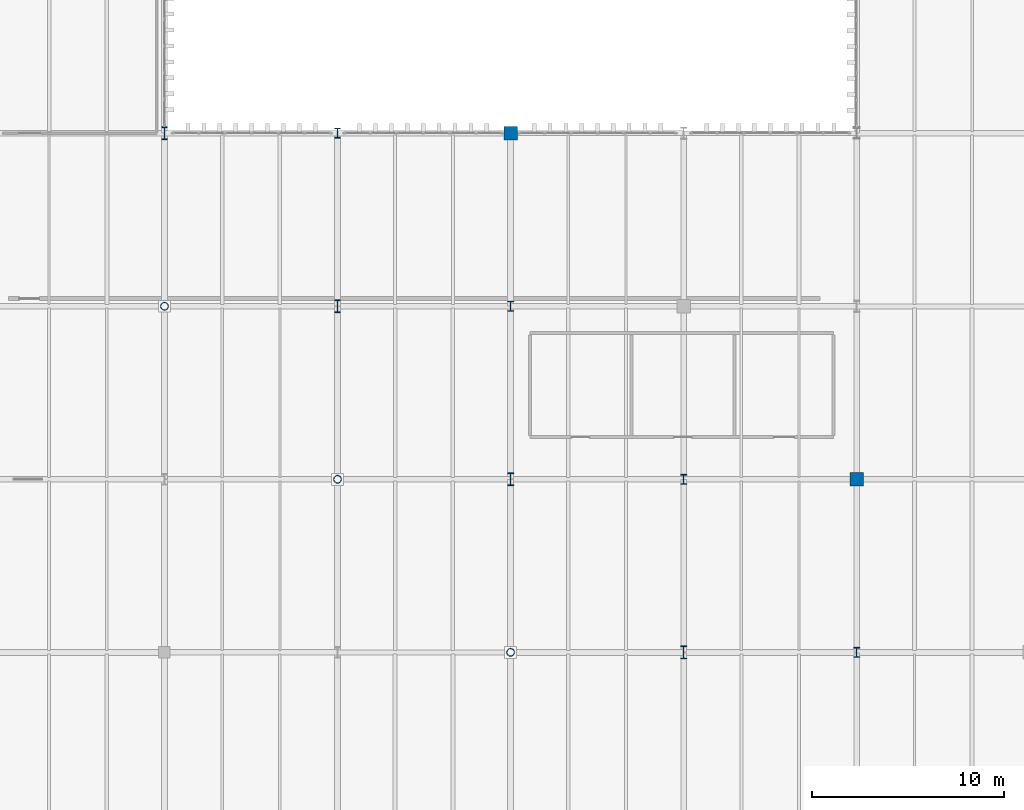
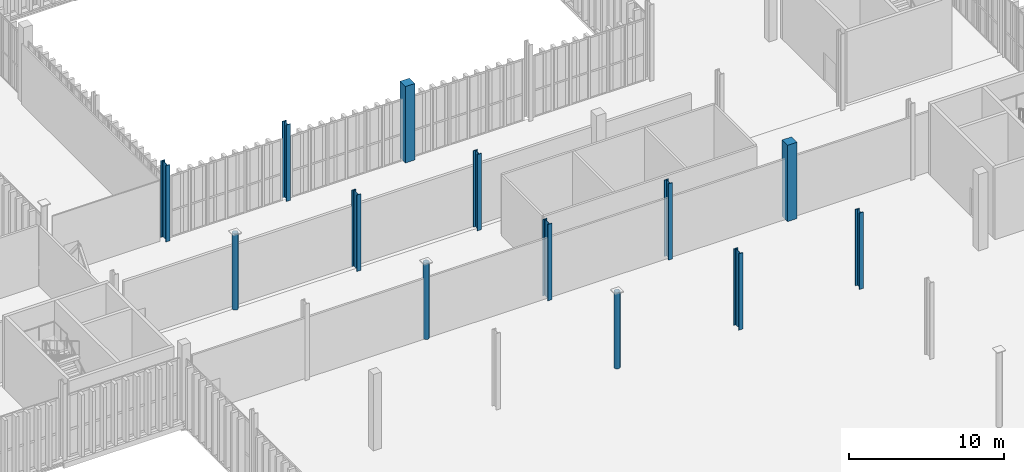
# One storey, part 15 of 237: 13 columns.
"""IFC4 building model written with IfcOpenShell, lengths in metres."""

from ifc_helpers import new_model, si_unit, direction, frame, origin, origin_2d, place, context, subcontext, project, spatial, rectangle, hollow_circle, i_section, extrude, material, material_profile, profile_set, type_object, element, save


model = new_model("IFC4")

# Units and contexts
model_context = context("Model", 3, precision=1e-05, world=origin(), true_north=direction((0.0, 1.0)))
body_context = subcontext(model_context, "Body", "Model", "MODEL_VIEW")
ifc_project = project(units=[si_unit("LENGTHUNIT", "METRE"), si_unit("AREAUNIT", "SQUARE_METRE"), si_unit("VOLUMEUNIT", "CUBIC_METRE"), si_unit("PLANEANGLEUNIT", "RADIAN"), si_unit("MASSUNIT", "GRAM", prefix="KILO")], contexts=[model_context])

# Site, building, storey
site_placement = place(None, origin())
site = spatial("IfcSite", under=ifc_project, at=site_placement, CompositionType="ELEMENT")
building_placement = place(site_placement, origin())
building = spatial("IfcBuilding", under=site, at=building_placement, Name="Barlavento Convention Centre", CompositionType="ELEMENT")
storey_placement = place(building_placement, frame((0.0, 0.0, 12.0)))
storey = spatial("IfcBuildingStorey", under=building, at=storey_placement, Name="L02", CompositionType="ELEMENT", Elevation=12.0)

# Columns
ifc_material_1 = material(Name="Steel S355", Category="steel")
ifc_material_profile_1 = material_profile(ifc_material_1, hollow_circle(Radius=0.203125, WallThickness=0.01611328125, at=origin_2d()), Name="CHS 406.4x16.0")
ifc_profile_set_1 = profile_set([ifc_material_profile_1], Name="Steel S355")
column_type_1 = type_object("IfcColumnType", Name="STR-COL-CHS406", PredefinedType="COLUMN", material=ifc_profile_set_1)
for number, where, z_axis, x_axis, name in (
    (1, (135.0, 54.0, 0.0), (0.0, 0.0, 1.0), (1.0, 0.0, 0.0), "L02 column SC14"),
    (2, (144.0, 45.0, 0.0), (0.0, 0.0, 1.0), (1.0, 0.0, 0.0), "L02 column SC14"),
    (3, (153.0, 36.0, 0.0), (0.0, 0.0, 1.0), (1.0, 0.0, 0.0), "L02 column SC14"),
):
    element("IfcColumn", number, at=place(storey_placement, frame(where, z_axis=z_axis, x_axis=x_axis)), inside=storey, type_object=column_type_1, Name=name, PredefinedType="COLUMN", context=body_context, shape_type="SweptSolid", body=[
        extrude(hollow_circle(Radius=0.203125, WallThickness=0.01611328125, at=origin_2d()), origin(), (0.0, 0.0, 1.0), 6.0),
    ])
ifc_material_profile_2 = material_profile(ifc_material_1, i_section(OverallWidth=0.305908203125, OverallDepth=0.52392578125, WebThickness=0.02099609375, FlangeThickness=0.0400390625, FilletRadius=0.027099609375, at=origin_2d()), Name="HEM 500")
ifc_profile_set_2 = profile_set([ifc_material_profile_2], Name="Steel S355")
column_type_2 = type_object("IfcColumnType", Name="STR-COL-HEM500", PredefinedType="COLUMN", material=ifc_profile_set_2)
for number, where, z_axis, x_axis, name in (
    (4, (144.0, 63.0, 0.0), (0.0, 0.0, 1.0), (1.0, 0.0, 0.0), "L02 column SC07"),
    (5, (153.0, 54.0, 0.0), (0.0, 0.0, 1.0), (1.0, 0.0, 0.0), "L02 column SC07"),
    (6, (162.0, 45.0, 0.0), (0.0, 0.0, 1.0), (1.0, 0.0, 0.0), "L02 column SC07"),
    (7, (171.0, 36.0, 0.0), (0.0, 0.0, 1.0), (1.0, 0.0, 0.0), "L02 column SC07"),
):
    element("IfcColumn", number, at=place(storey_placement, frame(where, z_axis=z_axis, x_axis=x_axis)), inside=storey, type_object=column_type_2, Name=name, PredefinedType="COLUMN", context=body_context, shape_type="SweptSolid", body=[
        extrude(i_section(OverallWidth=0.305908203125, OverallDepth=0.52392578125, WebThickness=0.02099609375, FlangeThickness=0.0400390625, FilletRadius=0.027099609375, at=origin_2d()), origin(), (0.0, 0.0, 1.0), 6.0),
    ])
ifc_material_2 = material(Name="Steel S460", Category="steel")
ifc_material_profile_3 = material_profile(ifc_material_2, i_section(OverallWidth=0.304931640625, OverallDepth=0.66796875, WebThickness=0.02099609375, FlangeThickness=0.0400390625, FilletRadius=0.027099609375, at=origin_2d()), Name="HEM 650")
ifc_profile_set_3 = profile_set([ifc_material_profile_3], Name="Steel S460")
column_type_3 = type_object("IfcColumnType", Name="STR-COL-HEM650", PredefinedType="COLUMN", material=ifc_profile_set_3)
for number, where, z_axis, x_axis, name in (
    (8, (135.0, 63.0, 0.0), (0.0, 0.0, 1.0), (1.0, 0.0, 0.0), "L02 column SC04"),
    (9, (144.0, 54.0, 0.0), (0.0, 0.0, 1.0), (1.0, 0.0, 0.0), "L02 column SC04"),
    (10, (153.0, 45.0, 0.0), (0.0, 0.0, 1.0), (1.0, 0.0, 0.0), "L02 column SC04"),
    (11, (162.0, 36.0, 0.0), (0.0, 0.0, 1.0), (1.0, 0.0, 0.0), "L02 column SC04"),
):
    element("IfcColumn", number, at=place(storey_placement, frame(where, z_axis=z_axis, x_axis=x_axis)), inside=storey, type_object=column_type_3, Name=name, PredefinedType="COLUMN", context=body_context, shape_type="SweptSolid", body=[
        extrude(i_section(OverallWidth=0.304931640625, OverallDepth=0.66796875, WebThickness=0.02099609375, FlangeThickness=0.0400390625, FilletRadius=0.027099609375, at=origin_2d()), origin(), (0.0, 0.0, 1.0), 6.0),
    ])
ifc_material_3 = material(Name="Concrete C40/50", Category="concrete")
ifc_material_profile_4 = material_profile(ifc_material_3, rectangle(XDim=0.699951171875, YDim=0.699951171875, at=origin_2d()), Name="RC 700x700")
ifc_profile_set_4 = profile_set([ifc_material_profile_4], Name="Concrete C40/50")
column_type_4 = type_object("IfcColumnType", Name="STR-COL-RC700", PredefinedType="COLUMN", material=ifc_profile_set_4)
for number, where, z_axis, x_axis, name in (
    (12, (153.0, 63.0, 0.0), (0.0, 0.0, 1.0), (1.0, 0.0, 0.0), "L02 column CC06"),
    (13, (171.0, 45.0, 0.0), (0.0, 0.0, 1.0), (1.0, 0.0, 0.0), "L02 column CC06"),
):
    element("IfcColumn", number, at=place(storey_placement, frame(where, z_axis=z_axis, x_axis=x_axis)), inside=storey, type_object=column_type_4, Name=name, PredefinedType="COLUMN", context=body_context, shape_type="SweptSolid", body=[
        extrude(rectangle(XDim=0.699951171875, YDim=0.699951171875, at=origin_2d()), origin(), (0.0, 0.0, 1.0), 6.0),
    ])

save(model, "model.ifc")
